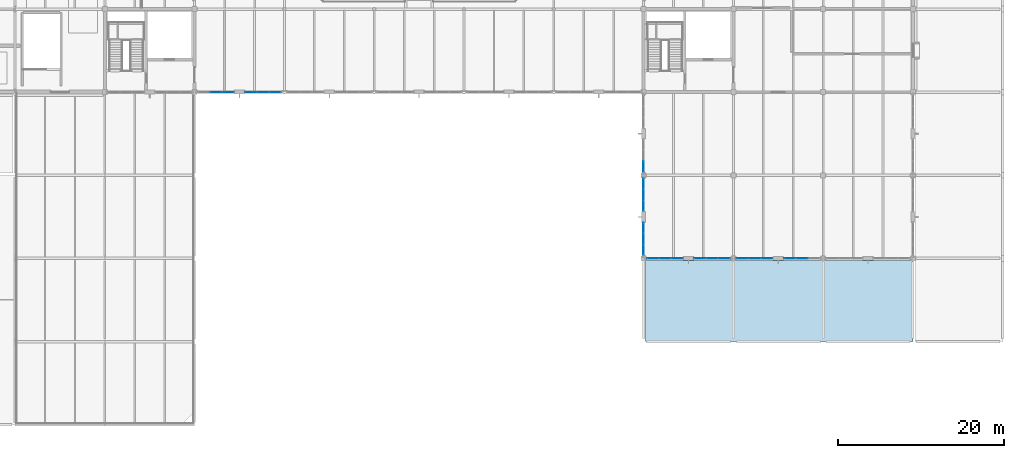
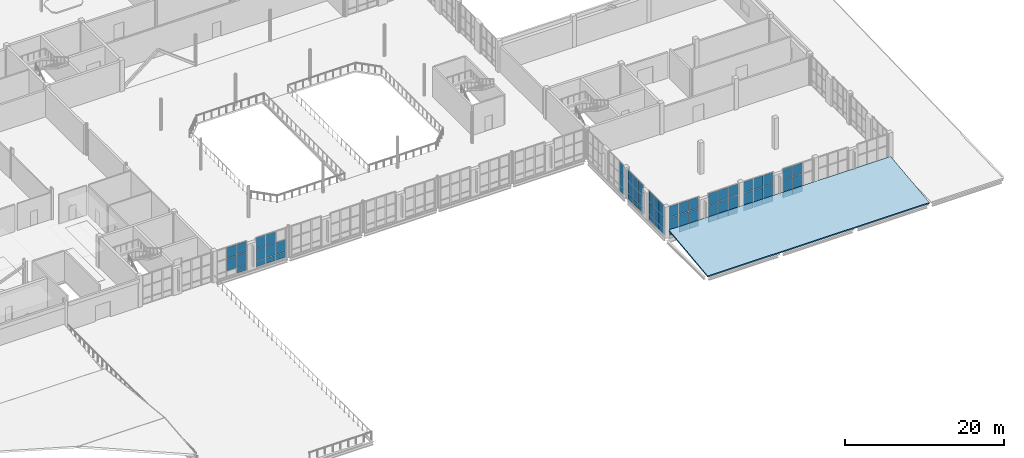
# One storey, part 64 of 100: 67 plates, 1 slab, 9 elements without a shape of their own.
"""IFC4 building model written with IfcOpenShell, lengths in metres."""

from ifc_helpers import new_model, si_unit, direction, frame, origin, origin_2d, place, context, subcontext, project, spatial, polyline, rectangle, outline, extrude, material, layer, layer_set, type_object, element, aggregate, save


model = new_model("IFC4")

# Units and contexts
model_context = context("Model", 3, precision=1e-05, world=origin(), true_north=direction((0.0, 1.0)))
body_context = subcontext(model_context, "Body", "Model", "MODEL_VIEW")
ifc_project = project(units=[si_unit("LENGTHUNIT", "METRE"), si_unit("AREAUNIT", "SQUARE_METRE"), si_unit("VOLUMEUNIT", "CUBIC_METRE"), si_unit("PLANEANGLEUNIT", "RADIAN"), si_unit("MASSUNIT", "GRAM", prefix="KILO")], contexts=[model_context])

# Site, building, storey
site_placement = place(None, origin())
site = spatial("IfcSite", under=ifc_project, at=site_placement, CompositionType="ELEMENT")
building_placement = place(site_placement, origin())
building = spatial("IfcBuilding", under=site, at=building_placement, Name="Tasgan Crest Museum", CompositionType="ELEMENT")
storey_placement = place(building_placement, frame((0.0, 0.0, 9.60009765625)))
storey = spatial("IfcBuildingStorey", under=building, at=storey_placement, Name="L02", CompositionType="ELEMENT", Elevation=9.60009765625)

# Curtain wall, plate
ifc_material_1 = material(Name="Triple-Glazed Aluminium Curtain Wall", Category="aluminium")
ifc_layer_1 = layer(ifc_material_1, 0.179931640625, Name="CW-GAL-Y-48")
ifc_layer_set_1 = layer_set([ifc_layer_1], Name="Triple-Glazed Aluminium Curtain Wall")
curtain_wall_type_1 = type_object("IfcCurtainWallType", Name="CW-GAL-Y-48", PredefinedType="NOTDEFINED", material=ifc_layer_set_1)
curtain_wall_1_placement = place(storey_placement, origin())
curtain_wall_1 = element("IfcCurtainWall", 1, at=curtain_wall_1_placement, inside=storey, type_object=curtain_wall_type_1, Name="Curtain wall L02 062", PredefinedType="NOTDEFINED")
ifc_material_2 = material(Name="Insulated Spandrel Glass", Category="glass")
ifc_layer_2 = layer(ifc_material_2, 0.052001953125, Name="CW-PANEL-SPANDREL")
ifc_layer_set_2 = layer_set([ifc_layer_2], Name="Insulated Spandrel Glass")
plate_type_1 = type_object("IfcPlateType", Name="CW-PANEL-SPANDREL", PredefinedType="CURTAIN_PANEL", material=ifc_layer_set_2)
plate_1_placement = place(storey_placement, frame((108.0, 31.044921875, 0.059814453125), z_axis=(0.0, 0.0, 1.0), x_axis=(0.0, -1.0, 0.0)))
plate_1 = element("IfcPlate", 2, at=plate_1_placement, type_object=plate_type_1, Name="CW16 panel 3.1", PredefinedType="CURTAIN_PANEL", context=body_context, shape_type="SweptSolid", body=[
    extrude(rectangle(XDim=1.239990234375, YDim=0.028076171875, at=origin_2d()), origin(), (0.0, 0.0, 1.0), 0.81005859375),
])

# Curtain wall, plates
curtain_wall_2_placement = place(storey_placement, origin())
curtain_wall_2 = element("IfcCurtainWall", 3, at=curtain_wall_2_placement, inside=storey, type_object=curtain_wall_type_1, Name="Curtain wall L02 063", PredefinedType="NOTDEFINED")
plate_2_placement = place(storey_placement, frame((108.0, 28.955078125, 0.059814453125), z_axis=(0.0, 0.0, 1.0), x_axis=(0.0, -1.0, 0.0)))
plate_2 = element("IfcPlate", 4, at=plate_2_placement, type_object=plate_type_1, Name="CW16 panel 1.1", PredefinedType="CURTAIN_PANEL", context=body_context, shape_type="SweptSolid", body=[
    extrude(rectangle(XDim=1.239990234375, YDim=0.028076171875, at=origin_2d()), origin(), (0.0, 0.0, 1.0), 0.81005859375),
])
plate_3_placement = place(storey_placement, frame((108.0, 27.639892578125, 0.059814453125), z_axis=(0.0, 0.0, 1.0), x_axis=(0.0, -1.0, 0.0)))
plate_3 = element("IfcPlate", 5, at=plate_3_placement, type_object=plate_type_1, Name="CW16 panel 2.1", PredefinedType="CURTAIN_PANEL", context=body_context, shape_type="SweptSolid", body=[
    extrude(rectangle(XDim=1.27001953125, YDim=0.028076171875, at=origin_2d()), origin(), (0.0, 0.0, 1.0), 0.81005859375),
])
plate_4_placement = place(storey_placement, frame((108.0, 26.324951171875, 0.059814453125), z_axis=(0.0, 0.0, 1.0), x_axis=(0.0, -1.0, 0.0)))
plate_4 = element("IfcPlate", 6, at=plate_4_placement, type_object=plate_type_1, Name="CW16 panel 3.1", PredefinedType="CURTAIN_PANEL", context=body_context, shape_type="SweptSolid", body=[
    extrude(rectangle(XDim=1.239990234375, YDim=0.028076171875, at=origin_2d()), origin(), (0.0, 0.0, 1.0), 0.81005859375),
])

curtain_wall_3_placement = place(storey_placement, origin())
curtain_wall_3 = element("IfcCurtainWall", 7, at=curtain_wall_3_placement, inside=storey, type_object=curtain_wall_type_1, Name="Curtain wall L02 064", PredefinedType="NOTDEFINED")
plate_5_placement = place(storey_placement, frame((108.0, 23.675048828125, 0.059814453125), z_axis=(0.0, 0.0, 1.0), x_axis=(0.0, -1.0, 0.0)))
plate_5 = element("IfcPlate", 8, at=plate_5_placement, type_object=plate_type_1, Name="CW16 panel 1.1", PredefinedType="CURTAIN_PANEL", context=body_context, shape_type="SweptSolid", body=[
    extrude(rectangle(XDim=1.239990234375, YDim=0.028076171875, at=origin_2d()), origin(), (0.0, 0.0, 1.0), 0.81005859375),
])
plate_6_placement = place(storey_placement, frame((108.0, 22.360107421875, 0.059814453125), z_axis=(0.0, 0.0, 1.0), x_axis=(0.0, -1.0, 0.0)))
plate_6 = element("IfcPlate", 9, at=plate_6_placement, type_object=plate_type_1, Name="CW16 panel 2.1", PredefinedType="CURTAIN_PANEL", context=body_context, shape_type="SweptSolid", body=[
    extrude(rectangle(XDim=1.27001953125, YDim=0.028076171875, at=origin_2d()), origin(), (0.0, 0.0, 1.0), 0.81005859375),
])
plate_7_placement = place(storey_placement, frame((108.0, 21.044921875, 0.059814453125), z_axis=(0.0, 0.0, 1.0), x_axis=(0.0, -1.0, 0.0)))
plate_7 = element("IfcPlate", 10, at=plate_7_placement, type_object=plate_type_1, Name="CW16 panel 3.1", PredefinedType="CURTAIN_PANEL", context=body_context, shape_type="SweptSolid", body=[
    extrude(rectangle(XDim=1.239990234375, YDim=0.028076171875, at=origin_2d()), origin(), (0.0, 0.0, 1.0), 0.81005859375),
])

ifc_material_3 = material(Name="Triple-Glazed Aluminium Curtain Wall", Category="aluminium")
ifc_layer_3 = layer(ifc_material_3, 0.179931640625, Name="CW-GAL-X-48")
ifc_layer_set_3 = layer_set([ifc_layer_3], Name="Triple-Glazed Aluminium Curtain Wall")
curtain_wall_type_2 = type_object("IfcCurtainWallType", Name="CW-GAL-X-48", PredefinedType="NOTDEFINED", material=ifc_layer_set_3)
curtain_wall_4_placement = place(storey_placement, origin())
curtain_wall_4 = element("IfcCurtainWall", 11, at=curtain_wall_4_placement, inside=storey, type_object=curtain_wall_type_2, Name="Curtain wall L02 065", PredefinedType="NOTDEFINED")
plate_8_placement = place(storey_placement, frame((109.111572265625, 20.0, 0.059814453125), z_axis=(0.0, 0.0, 1.0), x_axis=(1.0, 0.0, 0.0)))
plate_8 = element("IfcPlate", 12, at=plate_8_placement, type_object=plate_type_1, Name="CW13 panel 1.1", PredefinedType="CURTAIN_PANEL", context=body_context, shape_type="SweptSolid", body=[
    extrude(rectangle(XDim=1.373291015625, YDim=0.028076171875, at=origin_2d()), origin(), (0.0, 0.0, 1.0), 0.81005859375),
])
plate_9_placement = place(storey_placement, frame((110.56005859375, 20.0, 0.059814453125), z_axis=(0.0, 0.0, 1.0), x_axis=(1.0, 0.0, 0.0)))
plate_9 = element("IfcPlate", 13, at=plate_9_placement, type_object=plate_type_1, Name="CW13 panel 2.1", PredefinedType="CURTAIN_PANEL", context=body_context, shape_type="SweptSolid", body=[
    extrude(rectangle(XDim=1.4033203125, YDim=0.028076171875, at=origin_2d()), origin(), (0.0, 0.0, 1.0), 0.81005859375),
])
plate_10_placement = place(storey_placement, frame((112.00830078125, 20.0, 0.059814453125), z_axis=(0.0, 0.0, 1.0), x_axis=(1.0, 0.0, 0.0)))
plate_10 = element("IfcPlate", 14, at=plate_10_placement, type_object=plate_type_1, Name="CW13 panel 3.1", PredefinedType="CURTAIN_PANEL", context=body_context, shape_type="SweptSolid", body=[
    extrude(rectangle(XDim=1.373291015625, YDim=0.028076171875, at=origin_2d()), origin(), (0.0, 0.0, 1.0), 0.81005859375),
])

curtain_wall_5_placement = place(storey_placement, origin())
curtain_wall_5 = element("IfcCurtainWall", 15, at=curtain_wall_5_placement, inside=storey, type_object=curtain_wall_type_2, Name="Curtain wall L02 066", PredefinedType="NOTDEFINED")
plate_11_placement = place(storey_placement, frame((114.791748046875, 20.0, 0.059814453125), z_axis=(0.0, 0.0, 1.0), x_axis=(1.0, 0.0, 0.0)))
plate_11 = element("IfcPlate", 16, at=plate_11_placement, type_object=plate_type_1, Name="CW13 panel 1.1", PredefinedType="CURTAIN_PANEL", context=body_context, shape_type="SweptSolid", body=[
    extrude(rectangle(XDim=1.373291015625, YDim=0.028076171875, at=origin_2d()), origin(), (0.0, 0.0, 1.0), 0.81005859375),
])
plate_12_placement = place(storey_placement, frame((116.239990234375, 20.0, 0.059814453125), z_axis=(0.0, 0.0, 1.0), x_axis=(1.0, 0.0, 0.0)))
plate_12 = element("IfcPlate", 17, at=plate_12_placement, type_object=plate_type_1, Name="CW13 panel 2.1", PredefinedType="CURTAIN_PANEL", context=body_context, shape_type="SweptSolid", body=[
    extrude(rectangle(XDim=1.4033203125, YDim=0.028076171875, at=origin_2d()), origin(), (0.0, 0.0, 1.0), 0.81005859375),
])
plate_13_placement = place(storey_placement, frame((117.688232421875, 20.0, 0.059814453125), z_axis=(0.0, 0.0, 1.0), x_axis=(1.0, 0.0, 0.0)))
plate_13 = element("IfcPlate", 18, at=plate_13_placement, type_object=plate_type_1, Name="CW13 panel 3.1", PredefinedType="CURTAIN_PANEL", context=body_context, shape_type="SweptSolid", body=[
    extrude(rectangle(XDim=1.373291015625, YDim=0.028076171875, at=origin_2d()), origin(), (0.0, 0.0, 1.0), 0.81005859375),
])

curtain_wall_6_placement = place(storey_placement, origin())
curtain_wall_6 = element("IfcCurtainWall", 19, at=curtain_wall_6_placement, inside=storey, type_object=curtain_wall_type_2, Name="Curtain wall L02 067", PredefinedType="NOTDEFINED")
plate_14_placement = place(storey_placement, frame((119.91162109375, 20.0, 0.059814453125), z_axis=(0.0, 0.0, 1.0), x_axis=(1.0, 0.0, 0.0)))
plate_14 = element("IfcPlate", 20, at=plate_14_placement, type_object=plate_type_1, Name="CW13 panel 1.1", PredefinedType="CURTAIN_PANEL", context=body_context, shape_type="SweptSolid", body=[
    extrude(rectangle(XDim=1.373291015625, YDim=0.028076171875, at=origin_2d()), origin(), (0.0, 0.0, 1.0), 0.81005859375),
])
plate_15_placement = place(storey_placement, frame((121.360107421875, 20.0, 0.059814453125), z_axis=(0.0, 0.0, 1.0), x_axis=(1.0, 0.0, 0.0)))
plate_15 = element("IfcPlate", 21, at=plate_15_placement, type_object=plate_type_1, Name="CW13 panel 2.1", PredefinedType="CURTAIN_PANEL", context=body_context, shape_type="SweptSolid", body=[
    extrude(rectangle(XDim=1.4033203125, YDim=0.028076171875, at=origin_2d()), origin(), (0.0, 0.0, 1.0), 0.81005859375),
])
plate_16_placement = place(storey_placement, frame((122.808349609375, 20.0, 0.059814453125), z_axis=(0.0, 0.0, 1.0), x_axis=(1.0, 0.0, 0.0)))
plate_16 = element("IfcPlate", 22, at=plate_16_placement, type_object=plate_type_1, Name="CW13 panel 3.1", PredefinedType="CURTAIN_PANEL", context=body_context, shape_type="SweptSolid", body=[
    extrude(rectangle(XDim=1.373291015625, YDim=0.028076171875, at=origin_2d()), origin(), (0.0, 0.0, 1.0), 0.81005859375),
])

curtain_wall_7_placement = place(storey_placement, origin())
curtain_wall_7 = element("IfcCurtainWall", 23, at=curtain_wall_7_placement, inside=storey, type_object=curtain_wall_type_2, Name="Curtain wall L02 068", PredefinedType="NOTDEFINED")
plate_17_placement = place(storey_placement, frame((125.591552734375, 20.0, 0.059814453125), z_axis=(0.0, 0.0, 1.0), x_axis=(1.0, 0.0, 0.0)))
plate_17 = element("IfcPlate", 24, at=plate_17_placement, type_object=plate_type_1, Name="CW13 panel 1.1", PredefinedType="CURTAIN_PANEL", context=body_context, shape_type="SweptSolid", body=[
    extrude(rectangle(XDim=1.373291015625, YDim=0.028076171875, at=origin_2d()), origin(), (0.0, 0.0, 1.0), 0.81005859375),
])
plate_18_placement = place(storey_placement, frame((127.0400390625, 20.0, 0.059814453125), z_axis=(0.0, 0.0, 1.0), x_axis=(1.0, 0.0, 0.0)))
plate_18 = element("IfcPlate", 25, at=plate_18_placement, type_object=plate_type_1, Name="CW13 panel 2.1", PredefinedType="CURTAIN_PANEL", context=body_context, shape_type="SweptSolid", body=[
    extrude(rectangle(XDim=1.4033203125, YDim=0.028076171875, at=origin_2d()), origin(), (0.0, 0.0, 1.0), 0.81005859375),
])

# Curtain wall, plate
ifc_material_4 = material(Name="Triple-Glazed Aluminium Curtain Wall", Category="aluminium")
ifc_layer_4 = layer(ifc_material_4, 0.179931640625, Name="CW-DRUM-X-48")
ifc_layer_set_4 = layer_set([ifc_layer_4], Name="Triple-Glazed Aluminium Curtain Wall")
curtain_wall_type_3 = type_object("IfcCurtainWallType", Name="CW-DRUM-X-48", PredefinedType="NOTDEFINED", material=ifc_layer_set_4)
curtain_wall_8_placement = place(storey_placement, origin())
curtain_wall_8 = element("IfcCurtainWall", 26, at=curtain_wall_8_placement, inside=storey, type_object=curtain_wall_type_3, Name="Curtain wall L02 101", PredefinedType="NOTDEFINED")
plate_19_placement = place(storey_placement, frame((58.00830078125, 40.0, 0.059814453125), z_axis=(0.0, 0.0, 1.0), x_axis=(1.0, 0.0, 0.0)))
plate_19 = element("IfcPlate", 27, at=plate_19_placement, type_object=plate_type_1, Name="CW03 panel 3.1", PredefinedType="CURTAIN_PANEL", context=body_context, shape_type="SweptSolid", body=[
    extrude(rectangle(XDim=1.373291015625, YDim=0.028076171875, at=origin_2d()), origin(), (0.0, 0.0, 1.0), 0.81005859375),
])

# Curtain wall, plates
curtain_wall_9_placement = place(storey_placement, origin())
curtain_wall_9 = element("IfcCurtainWall", 28, at=curtain_wall_9_placement, inside=storey, type_object=curtain_wall_type_3, Name="Curtain wall L02 102", PredefinedType="NOTDEFINED")
plate_20_placement = place(storey_placement, frame((60.791748046875, 40.0, 0.059814453125), z_axis=(0.0, 0.0, 1.0), x_axis=(1.0, 0.0, 0.0)))
plate_20 = element("IfcPlate", 29, at=plate_20_placement, type_object=plate_type_1, Name="CW03 panel 1.1", PredefinedType="CURTAIN_PANEL", context=body_context, shape_type="SweptSolid", body=[
    extrude(rectangle(XDim=1.373291015625, YDim=0.028076171875, at=origin_2d()), origin(), (0.0, 0.0, 1.0), 0.81005859375),
])
plate_21_placement = place(storey_placement, frame((62.239990234375, 40.0, 0.059814453125), z_axis=(0.0, 0.0, 1.0), x_axis=(1.0, 0.0, 0.0)))
plate_21 = element("IfcPlate", 30, at=plate_21_placement, type_object=plate_type_1, Name="CW03 panel 2.1", PredefinedType="CURTAIN_PANEL", context=body_context, shape_type="SweptSolid", body=[
    extrude(rectangle(XDim=1.4033203125, YDim=0.028076171875, at=origin_2d()), origin(), (0.0, 0.0, 1.0), 0.81005859375),
])
plate_22_placement = place(storey_placement, frame((63.688232421875, 40.0, 0.059814453125), z_axis=(0.0, 0.0, 1.0), x_axis=(1.0, 0.0, 0.0)))
plate_22 = element("IfcPlate", 31, at=plate_22_placement, type_object=plate_type_1, Name="CW03 panel 3.1", PredefinedType="CURTAIN_PANEL", context=body_context, shape_type="SweptSolid", body=[
    extrude(rectangle(XDim=1.373291015625, YDim=0.028076171875, at=origin_2d()), origin(), (0.0, 0.0, 1.0), 0.81005859375),
])

# Plate
ifc_material_5 = material(Name="Low-E Triple Glazing", Category="glass")
ifc_layer_5 = layer(ifc_material_5, 0.0439453125, Name="CW-PANEL-TRIPLE")
ifc_layer_set_5 = layer_set([ifc_layer_5], Name="Low-E Triple Glazing")
plate_type_2 = type_object("IfcPlateType", Name="CW-PANEL-TRIPLE", PredefinedType="CURTAIN_PANEL", material=ifc_layer_set_5)
plate_23_placement = place(storey_placement, frame((108.0, 31.044921875, 0.9296875), z_axis=(0.0, 0.0, 1.0), x_axis=(0.0, -1.0, 0.0)))
plate_23 = element("IfcPlate", 32, at=plate_23_placement, type_object=plate_type_2, Name="CW16 panel 3.2", PredefinedType="CURTAIN_PANEL", context=body_context, shape_type="SweptSolid", body=[
    extrude(rectangle(XDim=1.239990234375, YDim=0.028076171875, at=origin_2d()), origin(), (0.0, 0.0, 1.0), 1.840087890625),
])

plate_24_placement = place(storey_placement, frame((108.0, 31.044921875, 2.829833984375), z_axis=(0.0, 0.0, 1.0), x_axis=(0.0, -1.0, 0.0)))
plate_24 = element("IfcPlate", 33, at=plate_24_placement, type_object=plate_type_2, Name="CW16 panel 3.3", PredefinedType="CURTAIN_PANEL", context=body_context, shape_type="SweptSolid", body=[
    extrude(rectangle(XDim=1.239990234375, YDim=0.028076171875, at=origin_2d()), origin(), (0.0, 0.0, 1.0), 1.669921875),
])

aggregate(curtain_wall_1, [plate_1, plate_23, plate_24])

plate_25_placement = place(storey_placement, frame((108.0, 28.955078125, 0.9296875), z_axis=(0.0, 0.0, 1.0), x_axis=(0.0, -1.0, 0.0)))
plate_25 = element("IfcPlate", 34, at=plate_25_placement, type_object=plate_type_2, Name="CW16 panel 1.2", PredefinedType="CURTAIN_PANEL", context=body_context, shape_type="SweptSolid", body=[
    extrude(rectangle(XDim=1.239990234375, YDim=0.028076171875, at=origin_2d()), origin(), (0.0, 0.0, 1.0), 1.840087890625),
])

plate_26_placement = place(storey_placement, frame((108.0, 28.955078125, 2.829833984375), z_axis=(0.0, 0.0, 1.0), x_axis=(0.0, -1.0, 0.0)))
plate_26 = element("IfcPlate", 35, at=plate_26_placement, type_object=plate_type_2, Name="CW16 panel 1.3", PredefinedType="CURTAIN_PANEL", context=body_context, shape_type="SweptSolid", body=[
    extrude(rectangle(XDim=1.239990234375, YDim=0.028076171875, at=origin_2d()), origin(), (0.0, 0.0, 1.0), 1.669921875),
])

plate_27_placement = place(storey_placement, frame((108.0, 27.639892578125, 0.9296875), z_axis=(0.0, 0.0, 1.0), x_axis=(0.0, -1.0, 0.0)))
plate_27 = element("IfcPlate", 36, at=plate_27_placement, type_object=plate_type_2, Name="CW16 panel 2.2", PredefinedType="CURTAIN_PANEL", context=body_context, shape_type="SweptSolid", body=[
    extrude(rectangle(XDim=1.27001953125, YDim=0.028076171875, at=origin_2d()), origin(), (0.0, 0.0, 1.0), 1.840087890625),
])

plate_28_placement = place(storey_placement, frame((108.0, 27.639892578125, 2.829833984375), z_axis=(0.0, 0.0, 1.0), x_axis=(0.0, -1.0, 0.0)))
plate_28 = element("IfcPlate", 37, at=plate_28_placement, type_object=plate_type_2, Name="CW16 panel 2.3", PredefinedType="CURTAIN_PANEL", context=body_context, shape_type="SweptSolid", body=[
    extrude(rectangle(XDim=1.27001953125, YDim=0.028076171875, at=origin_2d()), origin(), (0.0, 0.0, 1.0), 1.669921875),
])

plate_29_placement = place(storey_placement, frame((108.0, 26.324951171875, 0.9296875), z_axis=(0.0, 0.0, 1.0), x_axis=(0.0, -1.0, 0.0)))
plate_29 = element("IfcPlate", 38, at=plate_29_placement, type_object=plate_type_2, Name="CW16 panel 3.2", PredefinedType="CURTAIN_PANEL", context=body_context, shape_type="SweptSolid", body=[
    extrude(rectangle(XDim=1.239990234375, YDim=0.028076171875, at=origin_2d()), origin(), (0.0, 0.0, 1.0), 1.840087890625),
])

plate_30_placement = place(storey_placement, frame((108.0, 26.324951171875, 2.829833984375), z_axis=(0.0, 0.0, 1.0), x_axis=(0.0, -1.0, 0.0)))
plate_30 = element("IfcPlate", 39, at=plate_30_placement, type_object=plate_type_2, Name="CW16 panel 3.3", PredefinedType="CURTAIN_PANEL", context=body_context, shape_type="SweptSolid", body=[
    extrude(rectangle(XDim=1.239990234375, YDim=0.028076171875, at=origin_2d()), origin(), (0.0, 0.0, 1.0), 1.669921875),
])

aggregate(curtain_wall_2, [plate_2, plate_25, plate_26, plate_3, plate_27, plate_28, plate_4, plate_29, plate_30])

plate_31_placement = place(storey_placement, frame((108.0, 23.675048828125, 0.9296875), z_axis=(0.0, 0.0, 1.0), x_axis=(0.0, -1.0, 0.0)))
plate_31 = element("IfcPlate", 40, at=plate_31_placement, type_object=plate_type_2, Name="CW16 panel 1.2", PredefinedType="CURTAIN_PANEL", context=body_context, shape_type="SweptSolid", body=[
    extrude(rectangle(XDim=1.239990234375, YDim=0.028076171875, at=origin_2d()), origin(), (0.0, 0.0, 1.0), 1.840087890625),
])

plate_32_placement = place(storey_placement, frame((108.0, 23.675048828125, 2.829833984375), z_axis=(0.0, 0.0, 1.0), x_axis=(0.0, -1.0, 0.0)))
plate_32 = element("IfcPlate", 41, at=plate_32_placement, type_object=plate_type_2, Name="CW16 panel 1.3", PredefinedType="CURTAIN_PANEL", context=body_context, shape_type="SweptSolid", body=[
    extrude(rectangle(XDim=1.239990234375, YDim=0.028076171875, at=origin_2d()), origin(), (0.0, 0.0, 1.0), 1.669921875),
])

plate_33_placement = place(storey_placement, frame((108.0, 22.360107421875, 0.9296875), z_axis=(0.0, 0.0, 1.0), x_axis=(0.0, -1.0, 0.0)))
plate_33 = element("IfcPlate", 42, at=plate_33_placement, type_object=plate_type_2, Name="CW16 panel 2.2", PredefinedType="CURTAIN_PANEL", context=body_context, shape_type="SweptSolid", body=[
    extrude(rectangle(XDim=1.27001953125, YDim=0.028076171875, at=origin_2d()), origin(), (0.0, 0.0, 1.0), 1.840087890625),
])

plate_34_placement = place(storey_placement, frame((108.0, 22.360107421875, 2.829833984375), z_axis=(0.0, 0.0, 1.0), x_axis=(0.0, -1.0, 0.0)))
plate_34 = element("IfcPlate", 43, at=plate_34_placement, type_object=plate_type_2, Name="CW16 panel 2.3", PredefinedType="CURTAIN_PANEL", context=body_context, shape_type="SweptSolid", body=[
    extrude(rectangle(XDim=1.27001953125, YDim=0.028076171875, at=origin_2d()), origin(), (0.0, 0.0, 1.0), 1.669921875),
])

plate_35_placement = place(storey_placement, frame((108.0, 21.044921875, 0.9296875), z_axis=(0.0, 0.0, 1.0), x_axis=(0.0, -1.0, 0.0)))
plate_35 = element("IfcPlate", 44, at=plate_35_placement, type_object=plate_type_2, Name="CW16 panel 3.2", PredefinedType="CURTAIN_PANEL", context=body_context, shape_type="SweptSolid", body=[
    extrude(rectangle(XDim=1.239990234375, YDim=0.028076171875, at=origin_2d()), origin(), (0.0, 0.0, 1.0), 1.840087890625),
])

plate_36_placement = place(storey_placement, frame((108.0, 21.044921875, 2.829833984375), z_axis=(0.0, 0.0, 1.0), x_axis=(0.0, -1.0, 0.0)))
plate_36 = element("IfcPlate", 45, at=plate_36_placement, type_object=plate_type_2, Name="CW16 panel 3.3", PredefinedType="CURTAIN_PANEL", context=body_context, shape_type="SweptSolid", body=[
    extrude(rectangle(XDim=1.239990234375, YDim=0.028076171875, at=origin_2d()), origin(), (0.0, 0.0, 1.0), 1.669921875),
])

aggregate(curtain_wall_3, [plate_5, plate_31, plate_32, plate_6, plate_33, plate_34, plate_7, plate_35, plate_36])

plate_37_placement = place(storey_placement, frame((109.111572265625, 20.0, 0.9296875), z_axis=(0.0, 0.0, 1.0), x_axis=(1.0, 0.0, 0.0)))
plate_37 = element("IfcPlate", 46, at=plate_37_placement, type_object=plate_type_2, Name="CW13 panel 1.2", PredefinedType="CURTAIN_PANEL", context=body_context, shape_type="SweptSolid", body=[
    extrude(rectangle(XDim=1.373291015625, YDim=0.028076171875, at=origin_2d()), origin(), (0.0, 0.0, 1.0), 1.840087890625),
])

plate_38_placement = place(storey_placement, frame((109.111572265625, 20.0, 2.829833984375), z_axis=(0.0, 0.0, 1.0), x_axis=(1.0, 0.0, 0.0)))
plate_38 = element("IfcPlate", 47, at=plate_38_placement, type_object=plate_type_2, Name="CW13 panel 1.3", PredefinedType="CURTAIN_PANEL", context=body_context, shape_type="SweptSolid", body=[
    extrude(rectangle(XDim=1.373291015625, YDim=0.028076171875, at=origin_2d()), origin(), (0.0, 0.0, 1.0), 1.669921875),
])

plate_39_placement = place(storey_placement, frame((110.56005859375, 20.0, 0.9296875), z_axis=(0.0, 0.0, 1.0), x_axis=(1.0, 0.0, 0.0)))
plate_39 = element("IfcPlate", 48, at=plate_39_placement, type_object=plate_type_2, Name="CW13 panel 2.2", PredefinedType="CURTAIN_PANEL", context=body_context, shape_type="SweptSolid", body=[
    extrude(rectangle(XDim=1.4033203125, YDim=0.028076171875, at=origin_2d()), origin(), (0.0, 0.0, 1.0), 1.840087890625),
])

plate_40_placement = place(storey_placement, frame((110.56005859375, 20.0, 2.829833984375), z_axis=(0.0, 0.0, 1.0), x_axis=(1.0, 0.0, 0.0)))
plate_40 = element("IfcPlate", 49, at=plate_40_placement, type_object=plate_type_2, Name="CW13 panel 2.3", PredefinedType="CURTAIN_PANEL", context=body_context, shape_type="SweptSolid", body=[
    extrude(rectangle(XDim=1.4033203125, YDim=0.028076171875, at=origin_2d()), origin(), (0.0, 0.0, 1.0), 1.669921875),
])

plate_41_placement = place(storey_placement, frame((112.00830078125, 20.0, 0.9296875), z_axis=(0.0, 0.0, 1.0), x_axis=(1.0, 0.0, 0.0)))
plate_41 = element("IfcPlate", 50, at=plate_41_placement, type_object=plate_type_2, Name="CW13 panel 3.2", PredefinedType="CURTAIN_PANEL", context=body_context, shape_type="SweptSolid", body=[
    extrude(rectangle(XDim=1.373291015625, YDim=0.028076171875, at=origin_2d()), origin(), (0.0, 0.0, 1.0), 1.840087890625),
])

plate_42_placement = place(storey_placement, frame((112.00830078125, 20.0, 2.829833984375), z_axis=(0.0, 0.0, 1.0), x_axis=(1.0, 0.0, 0.0)))
plate_42 = element("IfcPlate", 51, at=plate_42_placement, type_object=plate_type_2, Name="CW13 panel 3.3", PredefinedType="CURTAIN_PANEL", context=body_context, shape_type="SweptSolid", body=[
    extrude(rectangle(XDim=1.373291015625, YDim=0.028076171875, at=origin_2d()), origin(), (0.0, 0.0, 1.0), 1.669921875),
])

aggregate(curtain_wall_4, [plate_8, plate_37, plate_38, plate_9, plate_39, plate_40, plate_10, plate_41, plate_42])

plate_43_placement = place(storey_placement, frame((114.791748046875, 20.0, 0.9296875), z_axis=(0.0, 0.0, 1.0), x_axis=(1.0, 0.0, 0.0)))
plate_43 = element("IfcPlate", 52, at=plate_43_placement, type_object=plate_type_2, Name="CW13 panel 1.2", PredefinedType="CURTAIN_PANEL", context=body_context, shape_type="SweptSolid", body=[
    extrude(rectangle(XDim=1.373291015625, YDim=0.028076171875, at=origin_2d()), origin(), (0.0, 0.0, 1.0), 1.840087890625),
])

plate_44_placement = place(storey_placement, frame((114.791748046875, 20.0, 2.829833984375), z_axis=(0.0, 0.0, 1.0), x_axis=(1.0, 0.0, 0.0)))
plate_44 = element("IfcPlate", 53, at=plate_44_placement, type_object=plate_type_2, Name="CW13 panel 1.3", PredefinedType="CURTAIN_PANEL", context=body_context, shape_type="SweptSolid", body=[
    extrude(rectangle(XDim=1.373291015625, YDim=0.028076171875, at=origin_2d()), origin(), (0.0, 0.0, 1.0), 1.669921875),
])

plate_45_placement = place(storey_placement, frame((116.239990234375, 20.0, 0.9296875), z_axis=(0.0, 0.0, 1.0), x_axis=(1.0, 0.0, 0.0)))
plate_45 = element("IfcPlate", 54, at=plate_45_placement, type_object=plate_type_2, Name="CW13 panel 2.2", PredefinedType="CURTAIN_PANEL", context=body_context, shape_type="SweptSolid", body=[
    extrude(rectangle(XDim=1.4033203125, YDim=0.028076171875, at=origin_2d()), origin(), (0.0, 0.0, 1.0), 1.840087890625),
])

plate_46_placement = place(storey_placement, frame((116.239990234375, 20.0, 2.829833984375), z_axis=(0.0, 0.0, 1.0), x_axis=(1.0, 0.0, 0.0)))
plate_46 = element("IfcPlate", 55, at=plate_46_placement, type_object=plate_type_2, Name="CW13 panel 2.3", PredefinedType="CURTAIN_PANEL", context=body_context, shape_type="SweptSolid", body=[
    extrude(rectangle(XDim=1.4033203125, YDim=0.028076171875, at=origin_2d()), origin(), (0.0, 0.0, 1.0), 1.669921875),
])

plate_47_placement = place(storey_placement, frame((117.688232421875, 20.0, 0.9296875), z_axis=(0.0, 0.0, 1.0), x_axis=(1.0, 0.0, 0.0)))
plate_47 = element("IfcPlate", 56, at=plate_47_placement, type_object=plate_type_2, Name="CW13 panel 3.2", PredefinedType="CURTAIN_PANEL", context=body_context, shape_type="SweptSolid", body=[
    extrude(rectangle(XDim=1.373291015625, YDim=0.028076171875, at=origin_2d()), origin(), (0.0, 0.0, 1.0), 1.840087890625),
])

plate_48_placement = place(storey_placement, frame((117.688232421875, 20.0, 2.829833984375), z_axis=(0.0, 0.0, 1.0), x_axis=(1.0, 0.0, 0.0)))
plate_48 = element("IfcPlate", 57, at=plate_48_placement, type_object=plate_type_2, Name="CW13 panel 3.3", PredefinedType="CURTAIN_PANEL", context=body_context, shape_type="SweptSolid", body=[
    extrude(rectangle(XDim=1.373291015625, YDim=0.028076171875, at=origin_2d()), origin(), (0.0, 0.0, 1.0), 1.669921875),
])

aggregate(curtain_wall_5, [plate_11, plate_43, plate_44, plate_12, plate_45, plate_46, plate_13, plate_47, plate_48])

plate_49_placement = place(storey_placement, frame((119.91162109375, 20.0, 0.9296875), z_axis=(0.0, 0.0, 1.0), x_axis=(1.0, 0.0, 0.0)))
plate_49 = element("IfcPlate", 58, at=plate_49_placement, type_object=plate_type_2, Name="CW13 panel 1.2", PredefinedType="CURTAIN_PANEL", context=body_context, shape_type="SweptSolid", body=[
    extrude(rectangle(XDim=1.373291015625, YDim=0.028076171875, at=origin_2d()), origin(), (0.0, 0.0, 1.0), 1.840087890625),
])

plate_50_placement = place(storey_placement, frame((119.91162109375, 20.0, 2.829833984375), z_axis=(0.0, 0.0, 1.0), x_axis=(1.0, 0.0, 0.0)))
plate_50 = element("IfcPlate", 59, at=plate_50_placement, type_object=plate_type_2, Name="CW13 panel 1.3", PredefinedType="CURTAIN_PANEL", context=body_context, shape_type="SweptSolid", body=[
    extrude(rectangle(XDim=1.373291015625, YDim=0.028076171875, at=origin_2d()), origin(), (0.0, 0.0, 1.0), 1.669921875),
])

plate_51_placement = place(storey_placement, frame((121.360107421875, 20.0, 0.9296875), z_axis=(0.0, 0.0, 1.0), x_axis=(1.0, 0.0, 0.0)))
plate_51 = element("IfcPlate", 60, at=plate_51_placement, type_object=plate_type_2, Name="CW13 panel 2.2", PredefinedType="CURTAIN_PANEL", context=body_context, shape_type="SweptSolid", body=[
    extrude(rectangle(XDim=1.4033203125, YDim=0.028076171875, at=origin_2d()), origin(), (0.0, 0.0, 1.0), 1.840087890625),
])

plate_52_placement = place(storey_placement, frame((121.360107421875, 20.0, 2.829833984375), z_axis=(0.0, 0.0, 1.0), x_axis=(1.0, 0.0, 0.0)))
plate_52 = element("IfcPlate", 61, at=plate_52_placement, type_object=plate_type_2, Name="CW13 panel 2.3", PredefinedType="CURTAIN_PANEL", context=body_context, shape_type="SweptSolid", body=[
    extrude(rectangle(XDim=1.4033203125, YDim=0.028076171875, at=origin_2d()), origin(), (0.0, 0.0, 1.0), 1.669921875),
])

plate_53_placement = place(storey_placement, frame((122.808349609375, 20.0, 0.9296875), z_axis=(0.0, 0.0, 1.0), x_axis=(1.0, 0.0, 0.0)))
plate_53 = element("IfcPlate", 62, at=plate_53_placement, type_object=plate_type_2, Name="CW13 panel 3.2", PredefinedType="CURTAIN_PANEL", context=body_context, shape_type="SweptSolid", body=[
    extrude(rectangle(XDim=1.373291015625, YDim=0.028076171875, at=origin_2d()), origin(), (0.0, 0.0, 1.0), 1.840087890625),
])

plate_54_placement = place(storey_placement, frame((122.808349609375, 20.0, 2.829833984375), z_axis=(0.0, 0.0, 1.0), x_axis=(1.0, 0.0, 0.0)))
plate_54 = element("IfcPlate", 63, at=plate_54_placement, type_object=plate_type_2, Name="CW13 panel 3.3", PredefinedType="CURTAIN_PANEL", context=body_context, shape_type="SweptSolid", body=[
    extrude(rectangle(XDim=1.373291015625, YDim=0.028076171875, at=origin_2d()), origin(), (0.0, 0.0, 1.0), 1.669921875),
])

aggregate(curtain_wall_6, [plate_14, plate_49, plate_50, plate_15, plate_51, plate_52, plate_16, plate_53, plate_54])

plate_55_placement = place(storey_placement, frame((125.591552734375, 20.0, 0.9296875), z_axis=(0.0, 0.0, 1.0), x_axis=(1.0, 0.0, 0.0)))
plate_55 = element("IfcPlate", 64, at=plate_55_placement, type_object=plate_type_2, Name="CW13 panel 1.2", PredefinedType="CURTAIN_PANEL", context=body_context, shape_type="SweptSolid", body=[
    extrude(rectangle(XDim=1.373291015625, YDim=0.028076171875, at=origin_2d()), origin(), (0.0, 0.0, 1.0), 1.840087890625),
])

plate_56_placement = place(storey_placement, frame((125.591552734375, 20.0, 2.829833984375), z_axis=(0.0, 0.0, 1.0), x_axis=(1.0, 0.0, 0.0)))
plate_56 = element("IfcPlate", 65, at=plate_56_placement, type_object=plate_type_2, Name="CW13 panel 1.3", PredefinedType="CURTAIN_PANEL", context=body_context, shape_type="SweptSolid", body=[
    extrude(rectangle(XDim=1.373291015625, YDim=0.028076171875, at=origin_2d()), origin(), (0.0, 0.0, 1.0), 1.669921875),
])

plate_57_placement = place(storey_placement, frame((127.0400390625, 20.0, 0.9296875), z_axis=(0.0, 0.0, 1.0), x_axis=(1.0, 0.0, 0.0)))
plate_57 = element("IfcPlate", 66, at=plate_57_placement, type_object=plate_type_2, Name="CW13 panel 2.2", PredefinedType="CURTAIN_PANEL", context=body_context, shape_type="SweptSolid", body=[
    extrude(rectangle(XDim=1.4033203125, YDim=0.028076171875, at=origin_2d()), origin(), (0.0, 0.0, 1.0), 1.840087890625),
])

plate_58_placement = place(storey_placement, frame((127.0400390625, 20.0, 2.829833984375), z_axis=(0.0, 0.0, 1.0), x_axis=(1.0, 0.0, 0.0)))
plate_58 = element("IfcPlate", 67, at=plate_58_placement, type_object=plate_type_2, Name="CW13 panel 2.3", PredefinedType="CURTAIN_PANEL", context=body_context, shape_type="SweptSolid", body=[
    extrude(rectangle(XDim=1.4033203125, YDim=0.028076171875, at=origin_2d()), origin(), (0.0, 0.0, 1.0), 1.669921875),
])

aggregate(curtain_wall_7, [plate_17, plate_55, plate_56, plate_18, plate_57, plate_58])

plate_59_placement = place(storey_placement, frame((56.56005859375, 40.0, 0.9296875), z_axis=(0.0, 0.0, 1.0), x_axis=(1.0, 0.0, 0.0)))
plate_59 = element("IfcPlate", 68, at=plate_59_placement, type_object=plate_type_2, Name="CW03 panel 2.2", PredefinedType="CURTAIN_PANEL", context=body_context, shape_type="SweptSolid", body=[
    extrude(rectangle(XDim=1.4033203125, YDim=0.028076171875, at=origin_2d()), origin(), (0.0, 0.0, 1.0), 1.840087890625),
])

plate_60_placement = place(storey_placement, frame((56.56005859375, 40.0, 2.829833984375), z_axis=(0.0, 0.0, 1.0), x_axis=(1.0, 0.0, 0.0)))
plate_60 = element("IfcPlate", 69, at=plate_60_placement, type_object=plate_type_2, Name="CW03 panel 2.3", PredefinedType="CURTAIN_PANEL", context=body_context, shape_type="SweptSolid", body=[
    extrude(rectangle(XDim=1.4033203125, YDim=0.028076171875, at=origin_2d()), origin(), (0.0, 0.0, 1.0), 1.669921875),
])

plate_61_placement = place(storey_placement, frame((58.00830078125, 40.0, 0.9296875), z_axis=(0.0, 0.0, 1.0), x_axis=(1.0, 0.0, 0.0)))
plate_61 = element("IfcPlate", 70, at=plate_61_placement, type_object=plate_type_2, Name="CW03 panel 3.2", PredefinedType="CURTAIN_PANEL", context=body_context, shape_type="SweptSolid", body=[
    extrude(rectangle(XDim=1.373291015625, YDim=0.028076171875, at=origin_2d()), origin(), (0.0, 0.0, 1.0), 1.840087890625),
])

plate_62_placement = place(storey_placement, frame((58.00830078125, 40.0, 2.829833984375), z_axis=(0.0, 0.0, 1.0), x_axis=(1.0, 0.0, 0.0)))
plate_62 = element("IfcPlate", 71, at=plate_62_placement, type_object=plate_type_2, Name="CW03 panel 3.3", PredefinedType="CURTAIN_PANEL", context=body_context, shape_type="SweptSolid", body=[
    extrude(rectangle(XDim=1.373291015625, YDim=0.028076171875, at=origin_2d()), origin(), (0.0, 0.0, 1.0), 1.669921875),
])

aggregate(curtain_wall_8, [plate_59, plate_60, plate_19, plate_61, plate_62])

plate_63_placement = place(storey_placement, frame((60.791748046875, 40.0, 0.9296875), z_axis=(0.0, 0.0, 1.0), x_axis=(1.0, 0.0, 0.0)))
plate_63 = element("IfcPlate", 72, at=plate_63_placement, type_object=plate_type_2, Name="CW03 panel 1.2", PredefinedType="CURTAIN_PANEL", context=body_context, shape_type="SweptSolid", body=[
    extrude(rectangle(XDim=1.373291015625, YDim=0.028076171875, at=origin_2d()), origin(), (0.0, 0.0, 1.0), 1.840087890625),
])

plate_64_placement = place(storey_placement, frame((60.791748046875, 40.0, 2.829833984375), z_axis=(0.0, 0.0, 1.0), x_axis=(1.0, 0.0, 0.0)))
plate_64 = element("IfcPlate", 73, at=plate_64_placement, type_object=plate_type_2, Name="CW03 panel 1.3", PredefinedType="CURTAIN_PANEL", context=body_context, shape_type="SweptSolid", body=[
    extrude(rectangle(XDim=1.373291015625, YDim=0.028076171875, at=origin_2d()), origin(), (0.0, 0.0, 1.0), 1.669921875),
])

plate_65_placement = place(storey_placement, frame((62.239990234375, 40.0, 0.9296875), z_axis=(0.0, 0.0, 1.0), x_axis=(1.0, 0.0, 0.0)))
plate_65 = element("IfcPlate", 74, at=plate_65_placement, type_object=plate_type_2, Name="CW03 panel 2.2", PredefinedType="CURTAIN_PANEL", context=body_context, shape_type="SweptSolid", body=[
    extrude(rectangle(XDim=1.4033203125, YDim=0.028076171875, at=origin_2d()), origin(), (0.0, 0.0, 1.0), 1.840087890625),
])

plate_66_placement = place(storey_placement, frame((62.239990234375, 40.0, 2.829833984375), z_axis=(0.0, 0.0, 1.0), x_axis=(1.0, 0.0, 0.0)))
plate_66 = element("IfcPlate", 75, at=plate_66_placement, type_object=plate_type_2, Name="CW03 panel 2.3", PredefinedType="CURTAIN_PANEL", context=body_context, shape_type="SweptSolid", body=[
    extrude(rectangle(XDim=1.4033203125, YDim=0.028076171875, at=origin_2d()), origin(), (0.0, 0.0, 1.0), 1.669921875),
])

plate_67_placement = place(storey_placement, frame((63.688232421875, 40.0, 0.9296875), z_axis=(0.0, 0.0, 1.0), x_axis=(1.0, 0.0, 0.0)))
plate_67 = element("IfcPlate", 76, at=plate_67_placement, type_object=plate_type_2, Name="CW03 panel 3.2", PredefinedType="CURTAIN_PANEL", context=body_context, shape_type="SweptSolid", body=[
    extrude(rectangle(XDim=1.373291015625, YDim=0.028076171875, at=origin_2d()), origin(), (0.0, 0.0, 1.0), 1.840087890625),
])

aggregate(curtain_wall_9, [plate_20, plate_63, plate_64, plate_21, plate_65, plate_66, plate_22, plate_67])

# Slab
ifc_material_6 = material(Name="Concrete C35/45", Category="concrete")
ifc_layer_6 = layer(ifc_material_6, 0.199951171875, Name="SL-ROOF-200")
ifc_layer_set_6 = layer_set([ifc_layer_6], Name="Concrete C35/45")
slab_type = type_object("IfcSlabType", Name="SL-ROOF-200", PredefinedType="ROOF", material=ifc_layer_set_6)
slab_placement = place(storey_placement, frame((108.25, 10.0, 0.0), z_axis=(0.0, -0.117126924369, 0.99311695363), x_axis=(1.0, 0.0, 0.0)))
element("IfcSlab", 77, at=slab_placement, inside=storey, type_object=slab_type, Name="East lab south step roof", PredefinedType="ROOF", context=body_context, shape_type="SweptSolid", body=[
    extrude(outline(polyline([(0.0, 0.0), (32.14990234375, 0.0), (32.14990234375, 9.81757482274323), (0.0, 9.81757482274323), (0.0, 0.0)])), origin(), (0.0, 0.0, -1.0), 0.199951171875),
])

save(model, "model.ifc")
